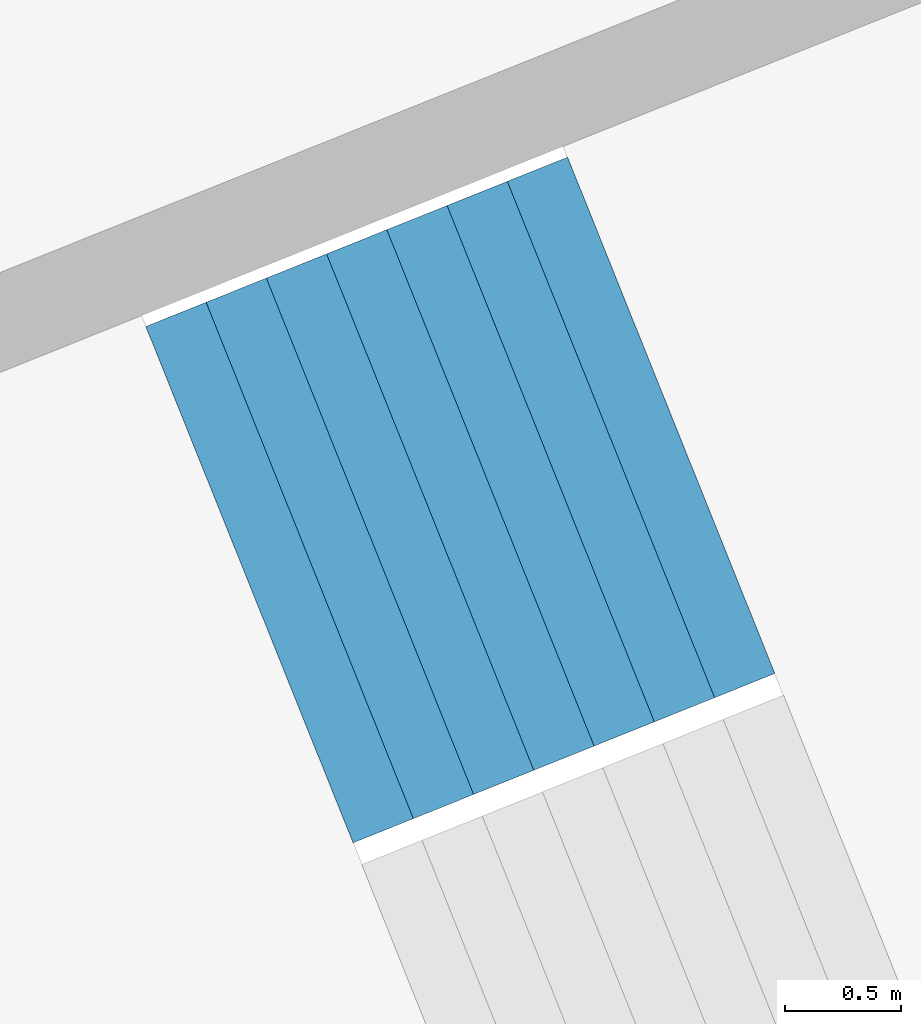
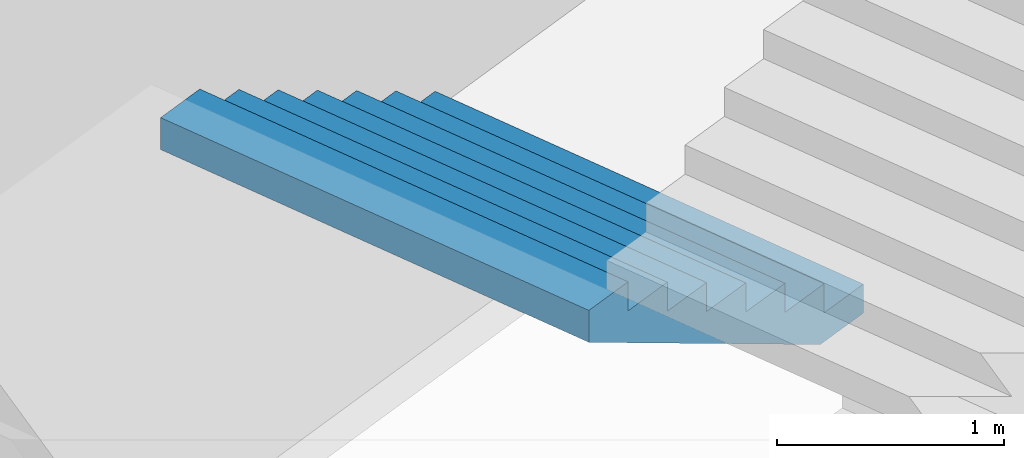
# One storey, part 67 of 73: 1 stair flight, 1 element without a shape of its own.
"""IFC4 building model written with IfcOpenShell, lengths in metres."""

from ifc_helpers import new_model, si_unit, direction, frame, origin, place, context, subcontext, project, spatial, triangles, material, type_object, element, aggregate, save


model = new_model("IFC4")

# Units and contexts
model_context = context("Model", 3, precision=1e-05, world=origin(), true_north=direction((0.0, 1.0)))
body_context = subcontext(model_context, "Body", "Model", "MODEL_VIEW")
ifc_project = project(units=[si_unit("LENGTHUNIT", "METRE"), si_unit("AREAUNIT", "SQUARE_METRE"), si_unit("VOLUMEUNIT", "CUBIC_METRE"), si_unit("PLANEANGLEUNIT", "RADIAN"), si_unit("MASSUNIT", "GRAM", prefix="KILO")], contexts=[model_context])

# Site, building, storey
site_placement = place(None, origin())
site = spatial("IfcSite", under=ifc_project, at=site_placement, CompositionType="ELEMENT")
building_placement = place(site_placement, origin())
building = spatial("IfcBuilding", under=site, at=building_placement, Name="Lantaw Convention Tower", CompositionType="ELEMENT")
storey_placement = place(building_placement, frame((0.0, 0.0, 22.0)))
storey = spatial("IfcBuildingStorey", under=building, at=storey_placement, Name="L03", CompositionType="ELEMENT", Elevation=22.0)

# Stair, stair flight
ifc_material = material(Name="Concrete C35/45", Category="concrete")
stair_type = type_object("IfcStairType", Name="Exit stair 2400 riser 156.25 in 4 flights", PredefinedType="HALF_TURN_STAIR", material=ifc_material)
stair_placement = place(storey_placement, origin())
stair = element("IfcStair", 1, at=stair_placement, inside=storey, type_object=stair_type, Name="Podium exit stair P2 L03", PredefinedType="HALF_TURN_STAIR")
stair_flight_type = type_object("IfcStairFlightType", Name="Stair flight 2400 riser 156.25", PredefinedType="STRAIGHT", material=ifc_material)
stair_flight_placement = place(storey_placement, frame((37.618408203125, 16.448486328125, 1.25), z_axis=(0.0, 0.0, 1.0), x_axis=(-0.928015168305, -0.372542410198, 0.0)))
stair_flight = element("IfcStairFlight", 2, at=stair_flight_placement, type_object=stair_flight_type, Name="P2 flight 2", NumberOfRisers=8, NumberOfTreads=7, PredefinedType="STRAIGHT", RiserHeight=0.15625, TreadLength=0.28, context=body_context, shape_type="Tessellation", body=[
    triangles([(0.0, 1.199951171875, 0.0), (0.0, 1.199951171875, 0.15625), (0.28, 1.199951171875, 0.0), (0.28, 1.199951171875, 0.15625), (0.28, 1.199951171875, 0.3125), (0.3076200632058044, 1.199951171875, 0.0), (0.3076200632058044, 1.199951171875, 0.3125), (0.56, 1.199951171875, 0.14083701830033238), (0.56, 1.199951171875, 0.3125), (0.56, 1.199951171875, 0.46875), (0.8400000000000001, 1.199951171875, 0.29708701830033235), (0.8400000000000001, 1.199951171875, 0.46875), (0.8400000000000001, 1.199951171875, 0.625), (1.12, 1.199951171875, 0.45333701830033235), (1.12, 1.199951171875, 0.625), (1.12, 1.199951171875, 0.78125), (1.4000000000000001, 1.199951171875, 0.6095870183003324), (1.4000000000000001, 1.199951171875, 0.78125), (1.4000000000000001, 1.199951171875, 0.9375), (1.6800000000000002, 1.199951171875, 0.7658370183003324), (1.6800000000000002, 1.199951171875, 0.9375), (1.6800000000000002, 1.199951171875, 1.09375), (1.9600000000000002, 1.199951171875, 0.9220870183003324), (1.9600000000000002, 1.199951171875, 1.09375), (0.0, -1.199951171875, 0.0), (0.0, -1.199951171875, 0.15625), (0.28, -1.199951171875, 0.0), (0.28, -1.199951171875, 0.15625), (0.28, -1.199951171875, 0.3125), (0.3076200632058044, -1.199951171875, 0.0), (0.3076200632058044, -1.199951171875, 0.3125), (0.56, -1.199951171875, 0.14083701830033238), (0.56, -1.199951171875, 0.3125), (0.56, -1.199951171875, 0.46875), (0.8400000000000001, -1.199951171875, 0.29708701830033235), (0.8400000000000001, -1.199951171875, 0.46875), (0.8400000000000001, -1.199951171875, 0.625), (1.12, -1.199951171875, 0.45333701830033235), (1.12, -1.199951171875, 0.625), (1.12, -1.199951171875, 0.78125), (1.4000000000000001, -1.199951171875, 0.6095870183003324), (1.4000000000000001, -1.199951171875, 0.78125), (1.4000000000000001, -1.199951171875, 0.9375), (1.6800000000000002, -1.199951171875, 0.7658370183003324), (1.6800000000000002, -1.199951171875, 0.9375), (1.6800000000000002, -1.199951171875, 1.09375), (1.9600000000000002, -1.199951171875, 0.9220870183003324), (1.9600000000000002, -1.199951171875, 1.09375), (0.0, 0.239990234375, 0.15625), (0.0, 0.239990234375, 0.0), (0.0, 0.1919921875, 0.15625), (0.0, 0.1919921875, 0.0), (0.0, 0.143994140625, 0.15625), (0.0, 0.143994140625, 0.0), (0.0, 0.09599609375, 0.15625), (0.0, 0.09599609375, 0.0), (0.0, 0.047998046875, 0.15625), (0.0, 0.047998046875, 0.0), (0.0, 0.0, 0.15625), (0.0, 0.0, 0.0), (0.0, -0.047998046875, 0.15625), (0.0, -0.047998046875, 0.0), (0.0, -0.09599609375, 0.15625), (0.0, -0.09599609375, 0.0), (0.0, -0.143994140625, 0.15625), (0.0, -0.143994140625, 0.0), (0.0, -0.1919921875, 0.15625), (0.0, -0.1919921875, 0.0), (0.0, -0.239990234375, 0.15625), (0.0, -0.239990234375, 0.0), (0.28, 0.239990234375, 0.3125), (0.28, 0.239990234375, 0.15625), (0.28, 0.1919921875, 0.3125), (0.28, 0.1919921875, 0.15625), (0.28, 0.143994140625, 0.3125), (0.28, 0.143994140625, 0.15625), (0.28, 0.09599609375, 0.3125), (0.28, 0.09599609375, 0.15625), (0.28, 0.047998046875, 0.3125), (0.28, 0.047998046875, 0.15625), (0.28, 0.0, 0.3125), (0.28, 0.0, 0.15625), (0.28, -0.047998046875, 0.3125), (0.28, -0.047998046875, 0.15625), (0.28, -0.09599609375, 0.3125), (0.28, -0.09599609375, 0.15625), (0.28, -0.143994140625, 0.3125), (0.28, -0.143994140625, 0.15625), (0.28, -0.1919921875, 0.3125), (0.28, -0.1919921875, 0.15625), (0.28, -0.239990234375, 0.3125), (0.28, -0.239990234375, 0.15625), (0.56, 0.239990234375, 0.46875), (0.56, 0.239990234375, 0.3125), (0.56, 0.1919921875, 0.46875), (0.56, 0.1919921875, 0.3125), (0.56, 0.143994140625, 0.46875), (0.56, 0.143994140625, 0.3125), (0.56, 0.09599609375, 0.46875), (0.56, 0.09599609375, 0.3125), (0.56, 0.047998046875, 0.46875), (0.56, 0.047998046875, 0.3125), (0.56, 0.0, 0.46875), (0.56, 0.0, 0.3125), (0.56, -0.047998046875, 0.46875), (0.56, -0.047998046875, 0.3125), (0.56, -0.09599609375, 0.46875), (0.56, -0.09599609375, 0.3125), (0.56, -0.143994140625, 0.46875), (0.56, -0.143994140625, 0.3125), (0.56, -0.1919921875, 0.46875), (0.56, -0.1919921875, 0.3125), (0.56, -0.239990234375, 0.46875), (0.56, -0.239990234375, 0.3125), (0.8400000000000001, 0.239990234375, 0.625), (0.8400000000000001, 0.239990234375, 0.46875), (0.8400000000000001, 0.1919921875, 0.625), (0.8400000000000001, 0.1919921875, 0.46875), (0.8400000000000001, 0.143994140625, 0.625), (0.8400000000000001, 0.143994140625, 0.46875), (0.8400000000000001, 0.09599609375, 0.625), (0.8400000000000001, 0.09599609375, 0.46875), (0.8400000000000001, 0.047998046875, 0.625), (0.8400000000000001, 0.047998046875, 0.46875), (0.8400000000000001, 0.0, 0.625), (0.8400000000000001, 0.0, 0.46875), (0.8400000000000001, -0.047998046875, 0.625), (0.8400000000000001, -0.047998046875, 0.46875), (0.8400000000000001, -0.09599609375, 0.625), (0.8400000000000001, -0.09599609375, 0.46875), (0.8400000000000001, -0.143994140625, 0.625), (0.8400000000000001, -0.143994140625, 0.46875), (0.8400000000000001, -0.1919921875, 0.625), (0.8400000000000001, -0.1919921875, 0.46875), (0.8400000000000001, -0.239990234375, 0.625), (0.8400000000000001, -0.239990234375, 0.46875), (1.12, 0.239990234375, 0.78125), (1.12, 0.239990234375, 0.625), (1.12, 0.1919921875, 0.78125), (1.12, 0.1919921875, 0.625), (1.12, 0.143994140625, 0.78125), (1.12, 0.143994140625, 0.625), (1.12, 0.09599609375, 0.78125), (1.12, 0.09599609375, 0.625), (1.12, 0.047998046875, 0.78125), (1.12, 0.047998046875, 0.625), (1.12, 0.0, 0.78125), (1.12, 0.0, 0.625), (1.12, -0.047998046875, 0.78125), (1.12, -0.047998046875, 0.625), (1.12, -0.09599609375, 0.78125), (1.12, -0.09599609375, 0.625), (1.12, -0.143994140625, 0.78125), (1.12, -0.143994140625, 0.625), (1.12, -0.1919921875, 0.78125), (1.12, -0.1919921875, 0.625), (1.12, -0.239990234375, 0.78125), (1.12, -0.239990234375, 0.625), (1.4000000000000001, 0.239990234375, 0.9375), (1.4000000000000001, 0.239990234375, 0.78125), (1.4000000000000001, 0.1919921875, 0.9375), (1.4000000000000001, 0.1919921875, 0.78125), (1.4000000000000001, 0.143994140625, 0.9375), (1.4000000000000001, 0.143994140625, 0.78125), (1.4000000000000001, 0.09599609375, 0.9375), (1.4000000000000001, 0.09599609375, 0.78125), (1.4000000000000001, 0.047998046875, 0.9375), (1.4000000000000001, 0.047998046875, 0.78125), (1.4000000000000001, 0.0, 0.9375), (1.4000000000000001, 0.0, 0.78125), (1.4000000000000001, -0.047998046875, 0.9375), (1.4000000000000001, -0.047998046875, 0.78125), (1.4000000000000001, -0.09599609375, 0.9375), (1.4000000000000001, -0.09599609375, 0.78125), (1.4000000000000001, -0.143994140625, 0.9375), (1.4000000000000001, -0.143994140625, 0.78125), (1.4000000000000001, -0.1919921875, 0.9375), (1.4000000000000001, -0.1919921875, 0.78125), (1.4000000000000001, -0.239990234375, 0.9375), (1.4000000000000001, -0.239990234375, 0.78125), (1.6800000000000002, 0.239990234375, 1.09375), (1.6800000000000002, 0.239990234375, 0.9375), (1.6800000000000002, 0.1919921875, 1.09375), (1.6800000000000002, 0.1919921875, 0.9375), (1.6800000000000002, 0.143994140625, 1.09375), (1.6800000000000002, 0.143994140625, 0.9375), (1.6800000000000002, 0.09599609375, 1.09375), (1.6800000000000002, 0.09599609375, 0.9375), (1.6800000000000002, 0.047998046875, 1.09375), (1.6800000000000002, 0.047998046875, 0.9375), (1.6800000000000002, 0.0, 1.09375), (1.6800000000000002, 0.0, 0.9375), (1.6800000000000002, -0.047998046875, 1.09375), (1.6800000000000002, -0.047998046875, 0.9375), (1.6800000000000002, -0.09599609375, 1.09375), (1.6800000000000002, -0.09599609375, 0.9375), (1.6800000000000002, -0.143994140625, 1.09375), (1.6800000000000002, -0.143994140625, 0.9375), (1.6800000000000002, -0.1919921875, 1.09375), (1.6800000000000002, -0.1919921875, 0.9375), (1.6800000000000002, -0.239990234375, 1.09375), (1.6800000000000002, -0.239990234375, 0.9375), (0.3076200632058044, 0.239990234375, 0.3125), (0.3076200632058044, 0.1919921875, 0.3125), (0.3076200632058044, 0.143994140625, 0.3125), (0.3076200632058044, 0.09599609375, 0.3125), (0.3076200632058044, 0.047998046875, 0.3125), (0.3076200632058044, 0.0, 0.3125), (0.3076200632058044, -0.047998046875, 0.3125), (0.3076200632058044, -0.09599609375, 0.3125), (0.3076200632058044, -0.143994140625, 0.3125), (0.3076200632058044, -0.1919921875, 0.3125), (0.3076200632058044, -0.239990234375, 0.3125), (1.9600000000000002, 0.239990234375, 1.09375), (1.9600000000000002, 0.1919921875, 1.09375), (1.9600000000000002, 0.143994140625, 1.09375), (1.9600000000000002, 0.09599609375, 1.09375), (1.9600000000000002, 0.047998046875, 1.09375), (1.9600000000000002, 0.0, 1.09375), (1.9600000000000002, -0.047998046875, 1.09375), (1.9600000000000002, -0.09599609375, 1.09375), (1.9600000000000002, -0.143994140625, 1.09375), (1.9600000000000002, -0.1919921875, 1.09375), (1.9600000000000002, -0.239990234375, 1.09375), (1.9600000000000002, 0.239990234375, 0.9220870183003324), (1.9600000000000002, 0.1919921875, 0.9220870183003324), (1.9600000000000002, 0.143994140625, 0.9220870183003324), (1.9600000000000002, 0.09599609375, 0.9220870183003324), (1.9600000000000002, 0.047998046875, 0.9220870183003324), (1.9600000000000002, 0.0, 0.9220870183003324), (1.9600000000000002, -0.047998046875, 0.9220870183003324), (1.9600000000000002, -0.09599609375, 0.9220870183003324), (1.9600000000000002, -0.143994140625, 0.9220870183003324), (1.9600000000000002, -0.1919921875, 0.9220870183003324), (1.9600000000000002, -0.239990234375, 0.9220870183003324), (1.6800000000000002, 0.239990234375, 0.7658370183003324), (1.6800000000000002, 0.1919921875, 0.7658370183003324), (1.6800000000000002, 0.143994140625, 0.7658370183003324), (1.6800000000000002, 0.09599609375, 0.7658370183003324), (1.6800000000000002, 0.047998046875, 0.7658370183003324), (1.6800000000000002, 0.0, 0.7658370183003324), (1.6800000000000002, -0.047998046875, 0.7658370183003324), (1.6800000000000002, -0.09599609375, 0.7658370183003324), (1.6800000000000002, -0.143994140625, 0.7658370183003324), (1.6800000000000002, -0.1919921875, 0.7658370183003324), (1.6800000000000002, -0.239990234375, 0.7658370183003324), (1.4000000000000001, 0.239990234375, 0.6095870183003324), (1.4000000000000001, 0.1919921875, 0.6095870183003324), (1.4000000000000001, 0.143994140625, 0.6095870183003324), (1.4000000000000001, 0.09599609375, 0.6095870183003324), (1.4000000000000001, 0.047998046875, 0.6095870183003324), (1.4000000000000001, 0.0, 0.6095870183003324), (1.4000000000000001, -0.047998046875, 0.6095870183003324), (1.4000000000000001, -0.09599609375, 0.6095870183003324), (1.4000000000000001, -0.143994140625, 0.6095870183003324), (1.4000000000000001, -0.1919921875, 0.6095870183003324), (1.4000000000000001, -0.239990234375, 0.6095870183003324), (1.12, 0.239990234375, 0.45333701830033235), (1.12, 0.1919921875, 0.45333701830033235), (1.12, 0.143994140625, 0.45333701830033235), (1.12, 0.09599609375, 0.45333701830033235), (1.12, 0.047998046875, 0.45333701830033235), (1.12, 0.0, 0.45333701830033235), (1.12, -0.047998046875, 0.45333701830033235), (1.12, -0.09599609375, 0.45333701830033235), (1.12, -0.143994140625, 0.45333701830033235), (1.12, -0.1919921875, 0.45333701830033235), (1.12, -0.239990234375, 0.45333701830033235), (0.8400000000000001, 0.239990234375, 0.29708701830033235), (0.8400000000000001, 0.1919921875, 0.29708701830033235), (0.8400000000000001, 0.143994140625, 0.29708701830033235), (0.8400000000000001, 0.09599609375, 0.29708701830033235), (0.8400000000000001, 0.047998046875, 0.29708701830033235), (0.8400000000000001, 0.0, 0.29708701830033235), (0.8400000000000001, -0.047998046875, 0.29708701830033235), (0.8400000000000001, -0.09599609375, 0.29708701830033235), (0.8400000000000001, -0.143994140625, 0.29708701830033235), (0.8400000000000001, -0.1919921875, 0.29708701830033235), (0.8400000000000001, -0.239990234375, 0.29708701830033235), (0.56, 0.239990234375, 0.14083701830033238), (0.56, 0.1919921875, 0.14083701830033238), (0.56, 0.143994140625, 0.14083701830033238), (0.56, 0.09599609375, 0.14083701830033238), (0.56, 0.047998046875, 0.14083701830033238), (0.56, 0.0, 0.14083701830033238), (0.56, -0.047998046875, 0.14083701830033238), (0.56, -0.09599609375, 0.14083701830033238), (0.56, -0.143994140625, 0.14083701830033238), (0.56, -0.1919921875, 0.14083701830033238), (0.56, -0.239990234375, 0.14083701830033238), (0.3076200632058044, 0.239990234375, 0.0), (0.3076200632058044, 0.1919921875, 0.0), (0.3076200632058044, 0.143994140625, 0.0), (0.3076200632058044, 0.09599609375, 0.0), (0.3076200632058044, 0.047998046875, 0.0), (0.3076200632058044, 0.0, 0.0), (0.3076200632058044, -0.047998046875, 0.0), (0.3076200632058044, -0.09599609375, 0.0), (0.3076200632058044, -0.143994140625, 0.0), (0.3076200632058044, -0.1919921875, 0.0), (0.3076200632058044, -0.239990234375, 0.0), (0.28, 0.239990234375, 0.0), (0.28, 0.1919921875, 0.0), (0.28, 0.143994140625, 0.0), (0.28, 0.09599609375, 0.0), (0.28, 0.047998046875, 0.0), (0.28, 0.0, 0.0), (0.28, -0.047998046875, 0.0), (0.28, -0.09599609375, 0.0), (0.28, -0.143994140625, 0.0), (0.28, -0.1919921875, 0.0), (0.28, -0.239990234375, 0.0)], [[1, 4, 3], [1, 2, 4], [3, 4, 6], [4, 7, 6], [4, 5, 7], [6, 9, 8], [6, 7, 9], [8, 9, 11], [9, 12, 11], [9, 10, 12], [11, 12, 14], [12, 15, 14], [12, 13, 15], [14, 15, 17], [15, 18, 17], [15, 16, 18], [17, 18, 20], [18, 21, 20], [18, 19, 21], [20, 21, 23], [21, 24, 23], [21, 22, 24], [25, 27, 28], [25, 28, 26], [27, 30, 28], [28, 30, 31], [28, 31, 29], [30, 32, 33], [30, 33, 31], [32, 35, 33], [33, 35, 36], [33, 36, 34], [35, 38, 36], [36, 38, 39], [36, 39, 37], [38, 41, 39], [39, 41, 42], [39, 42, 40], [41, 44, 42], [42, 44, 45], [42, 45, 43], [44, 47, 45], [45, 47, 48], [45, 48, 46], [1, 49, 2], [1, 50, 49], [50, 51, 49], [50, 52, 51], [52, 53, 51], [52, 54, 53], [54, 55, 53], [54, 56, 55], [56, 57, 55], [56, 58, 57], [58, 59, 57], [58, 60, 59], [60, 61, 59], [60, 62, 61], [62, 63, 61], [62, 64, 63], [64, 65, 63], [64, 66, 65], [66, 67, 65], [66, 68, 67], [68, 69, 67], [68, 70, 69], [70, 26, 69], [70, 25, 26], [4, 71, 5], [4, 72, 71], [72, 73, 71], [72, 74, 73], [74, 75, 73], [74, 76, 75], [76, 77, 75], [76, 78, 77], [78, 79, 77], [78, 80, 79], [80, 81, 79], [80, 82, 81], [82, 83, 81], [82, 84, 83], [84, 85, 83], [84, 86, 85], [86, 87, 85], [86, 88, 87], [88, 89, 87], [88, 90, 89], [90, 91, 89], [90, 92, 91], [92, 29, 91], [92, 28, 29], [9, 93, 10], [9, 94, 93], [94, 95, 93], [94, 96, 95], [96, 97, 95], [96, 98, 97], [98, 99, 97], [98, 100, 99], [100, 101, 99], [100, 102, 101], [102, 103, 101], [102, 104, 103], [104, 105, 103], [104, 106, 105], [106, 107, 105], [106, 108, 107], [108, 109, 107], [108, 110, 109], [110, 111, 109], [110, 112, 111], [112, 113, 111], [112, 114, 113], [114, 34, 113], [114, 33, 34], [12, 115, 13], [12, 116, 115], [116, 117, 115], [116, 118, 117], [118, 119, 117], [118, 120, 119], [120, 121, 119], [120, 122, 121], [122, 123, 121], [122, 124, 123], [124, 125, 123], [124, 126, 125], [126, 127, 125], [126, 128, 127], [128, 129, 127], [128, 130, 129], [130, 131, 129], [130, 132, 131], [132, 133, 131], [132, 134, 133], [134, 135, 133], [134, 136, 135], [136, 37, 135], [136, 36, 37], [15, 137, 16], [15, 138, 137], [138, 139, 137], [138, 140, 139], [140, 141, 139], [140, 142, 141], [142, 143, 141], [142, 144, 143], [144, 145, 143], [144, 146, 145], [146, 147, 145], [146, 148, 147], [148, 149, 147], [148, 150, 149], [150, 151, 149], [150, 152, 151], [152, 153, 151], [152, 154, 153], [154, 155, 153], [154, 156, 155], [156, 157, 155], [156, 158, 157], [158, 40, 157], [158, 39, 40], [18, 159, 19], [18, 160, 159], [160, 161, 159], [160, 162, 161], [162, 163, 161], [162, 164, 163], [164, 165, 163], [164, 166, 165], [166, 167, 165], [166, 168, 167], [168, 169, 167], [168, 170, 169], [170, 171, 169], [170, 172, 171], [172, 173, 171], [172, 174, 173], [174, 175, 173], [174, 176, 175], [176, 177, 175], [176, 178, 177], [178, 179, 177], [178, 180, 179], [180, 43, 179], [180, 42, 43], [21, 181, 22], [21, 182, 181], [182, 183, 181], [182, 184, 183], [184, 185, 183], [184, 186, 185], [186, 187, 185], [186, 188, 187], [188, 189, 187], [188, 190, 189], [190, 191, 189], [190, 192, 191], [192, 193, 191], [192, 194, 193], [194, 195, 193], [194, 196, 195], [196, 197, 195], [196, 198, 197], [198, 199, 197], [198, 200, 199], [200, 201, 199], [200, 202, 201], [202, 46, 201], [202, 45, 46], [2, 72, 4], [2, 49, 72], [49, 74, 72], [49, 51, 74], [51, 76, 74], [51, 53, 76], [53, 78, 76], [53, 55, 78], [55, 80, 78], [55, 57, 80], [57, 82, 80], [57, 59, 82], [59, 84, 82], [59, 61, 84], [61, 86, 84], [61, 63, 86], [63, 88, 86], [63, 65, 88], [65, 90, 88], [65, 67, 90], [67, 92, 90], [67, 69, 92], [69, 28, 92], [69, 26, 28], [5, 203, 7], [5, 71, 203], [71, 204, 203], [71, 73, 204], [73, 205, 204], [73, 75, 205], [75, 206, 205], [75, 77, 206], [77, 207, 206], [77, 79, 207], [79, 208, 207], [79, 81, 208], [81, 209, 208], [81, 83, 209], [83, 210, 209], [83, 85, 210], [85, 211, 210], [85, 87, 211], [87, 212, 211], [87, 89, 212], [89, 213, 212], [89, 91, 213], [91, 31, 213], [91, 29, 31], [7, 94, 9], [7, 203, 94], [203, 96, 94], [203, 204, 96], [204, 98, 96], [204, 205, 98], [205, 100, 98], [205, 206, 100], [206, 102, 100], [206, 207, 102], [207, 104, 102], [207, 208, 104], [208, 106, 104], [208, 209, 106], [209, 108, 106], [209, 210, 108], [210, 110, 108], [210, 211, 110], [211, 112, 110], [211, 212, 112], [212, 114, 112], [212, 213, 114], [213, 33, 114], [213, 31, 33], [10, 116, 12], [10, 93, 116], [93, 118, 116], [93, 95, 118], [95, 120, 118], [95, 97, 120], [97, 122, 120], [97, 99, 122], [99, 124, 122], [99, 101, 124], [101, 126, 124], [101, 103, 126], [103, 128, 126], [103, 105, 128], [105, 130, 128], [105, 107, 130], [107, 132, 130], [107, 109, 132], [109, 134, 132], [109, 111, 134], [111, 136, 134], [111, 113, 136], [113, 36, 136], [113, 34, 36], [13, 138, 15], [13, 115, 138], [115, 140, 138], [115, 117, 140], [117, 142, 140], [117, 119, 142], [119, 144, 142], [119, 121, 144], [121, 146, 144], [121, 123, 146], [123, 148, 146], [123, 125, 148], [125, 150, 148], [125, 127, 150], [127, 152, 150], [127, 129, 152], [129, 154, 152], [129, 131, 154], [131, 156, 154], [131, 133, 156], [133, 158, 156], [133, 135, 158], [135, 39, 158], [135, 37, 39], [16, 160, 18], [16, 137, 160], [137, 162, 160], [137, 139, 162], [139, 164, 162], [139, 141, 164], [141, 166, 164], [141, 143, 166], [143, 168, 166], [143, 145, 168], [145, 170, 168], [145, 147, 170], [147, 172, 170], [147, 149, 172], [149, 174, 172], [149, 151, 174], [151, 176, 174], [151, 153, 176], [153, 178, 176], [153, 155, 178], [155, 180, 178], [155, 157, 180], [157, 42, 180], [157, 40, 42], [19, 182, 21], [19, 159, 182], [159, 184, 182], [159, 161, 184], [161, 186, 184], [161, 163, 186], [163, 188, 186], [163, 165, 188], [165, 190, 188], [165, 167, 190], [167, 192, 190], [167, 169, 192], [169, 194, 192], [169, 171, 194], [171, 196, 194], [171, 173, 196], [173, 198, 196], [173, 175, 198], [175, 200, 198], [175, 177, 200], [177, 202, 200], [177, 179, 202], [179, 45, 202], [179, 43, 45], [22, 214, 24], [22, 181, 214], [181, 215, 214], [181, 183, 215], [183, 216, 215], [183, 185, 216], [185, 217, 216], [185, 187, 217], [187, 218, 217], [187, 189, 218], [189, 219, 218], [189, 191, 219], [191, 220, 219], [191, 193, 220], [193, 221, 220], [193, 195, 221], [195, 222, 221], [195, 197, 222], [197, 223, 222], [197, 199, 223], [199, 224, 223], [199, 201, 224], [201, 48, 224], [201, 46, 48], [24, 225, 23], [24, 214, 225], [214, 226, 225], [214, 215, 226], [215, 227, 226], [215, 216, 227], [216, 228, 227], [216, 217, 228], [217, 229, 228], [217, 218, 229], [218, 230, 229], [218, 219, 230], [219, 231, 230], [219, 220, 231], [220, 232, 231], [220, 221, 232], [221, 233, 232], [221, 222, 233], [222, 234, 233], [222, 223, 234], [223, 235, 234], [223, 224, 235], [224, 47, 235], [224, 48, 47], [23, 236, 20], [23, 225, 236], [225, 237, 236], [225, 226, 237], [226, 238, 237], [226, 227, 238], [227, 239, 238], [227, 228, 239], [228, 240, 239], [228, 229, 240], [229, 241, 240], [229, 230, 241], [230, 242, 241], [230, 231, 242], [231, 243, 242], [231, 232, 243], [232, 244, 243], [232, 233, 244], [233, 245, 244], [233, 234, 245], [234, 246, 245], [234, 235, 246], [235, 44, 246], [235, 47, 44], [20, 247, 17], [20, 236, 247], [236, 248, 247], [236, 237, 248], [237, 249, 248], [237, 238, 249], [238, 250, 249], [238, 239, 250], [239, 251, 250], [239, 240, 251], [240, 252, 251], [240, 241, 252], [241, 253, 252], [241, 242, 253], [242, 254, 253], [242, 243, 254], [243, 255, 254], [243, 244, 255], [244, 256, 255], [244, 245, 256], [245, 257, 256], [245, 246, 257], [246, 41, 257], [246, 44, 41], [17, 258, 14], [17, 247, 258], [247, 259, 258], [247, 248, 259], [248, 260, 259], [248, 249, 260], [249, 261, 260], [249, 250, 261], [250, 262, 261], [250, 251, 262], [251, 263, 262], [251, 252, 263], [252, 264, 263], [252, 253, 264], [253, 265, 264], [253, 254, 265], [254, 266, 265], [254, 255, 266], [255, 267, 266], [255, 256, 267], [256, 268, 267], [256, 257, 268], [257, 38, 268], [257, 41, 38], [14, 269, 11], [14, 258, 269], [258, 270, 269], [258, 259, 270], [259, 271, 270], [259, 260, 271], [260, 272, 271], [260, 261, 272], [261, 273, 272], [261, 262, 273], [262, 274, 273], [262, 263, 274], [263, 275, 274], [263, 264, 275], [264, 276, 275], [264, 265, 276], [265, 277, 276], [265, 266, 277], [266, 278, 277], [266, 267, 278], [267, 279, 278], [267, 268, 279], [268, 35, 279], [268, 38, 35], [11, 280, 8], [11, 269, 280], [269, 281, 280], [269, 270, 281], [270, 282, 281], [270, 271, 282], [271, 283, 282], [271, 272, 283], [272, 284, 283], [272, 273, 284], [273, 285, 284], [273, 274, 285], [274, 286, 285], [274, 275, 286], [275, 287, 286], [275, 276, 287], [276, 288, 287], [276, 277, 288], [277, 289, 288], [277, 278, 289], [278, 290, 289], [278, 279, 290], [279, 32, 290], [279, 35, 32], [8, 291, 6], [8, 280, 291], [280, 292, 291], [280, 281, 292], [281, 293, 292], [281, 282, 293], [282, 294, 293], [282, 283, 294], [283, 295, 294], [283, 284, 295], [284, 296, 295], [284, 285, 296], [285, 297, 296], [285, 286, 297], [286, 298, 297], [286, 287, 298], [287, 299, 298], [287, 288, 299], [288, 300, 299], [288, 289, 300], [289, 301, 300], [289, 290, 301], [290, 30, 301], [290, 32, 30], [6, 302, 3], [6, 291, 302], [291, 303, 302], [291, 292, 303], [292, 304, 303], [292, 293, 304], [293, 305, 304], [293, 294, 305], [294, 306, 305], [294, 295, 306], [295, 307, 306], [295, 296, 307], [296, 308, 307], [296, 297, 308], [297, 309, 308], [297, 298, 309], [298, 310, 309], [298, 299, 310], [299, 311, 310], [299, 300, 311], [300, 312, 311], [300, 301, 312], [301, 27, 312], [301, 30, 27], [3, 50, 1], [3, 302, 50], [302, 52, 50], [302, 303, 52], [303, 54, 52], [303, 304, 54], [304, 56, 54], [304, 305, 56], [305, 58, 56], [305, 306, 58], [306, 60, 58], [306, 307, 60], [307, 62, 60], [307, 308, 62], [308, 64, 62], [308, 309, 64], [309, 66, 64], [309, 310, 66], [310, 68, 66], [310, 311, 68], [311, 70, 68], [311, 312, 70], [312, 25, 70], [312, 27, 25]], closed=True),
])
aggregate(stair, [stair_flight])

save(model, "model.ifc")
